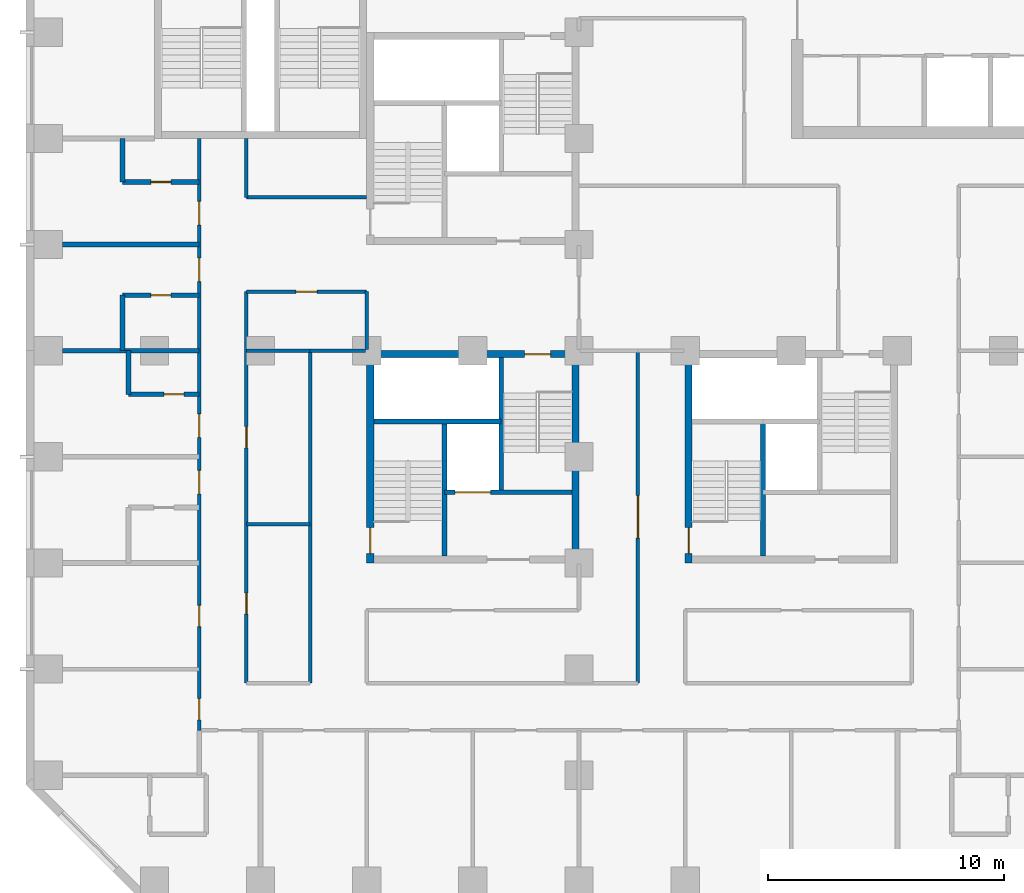
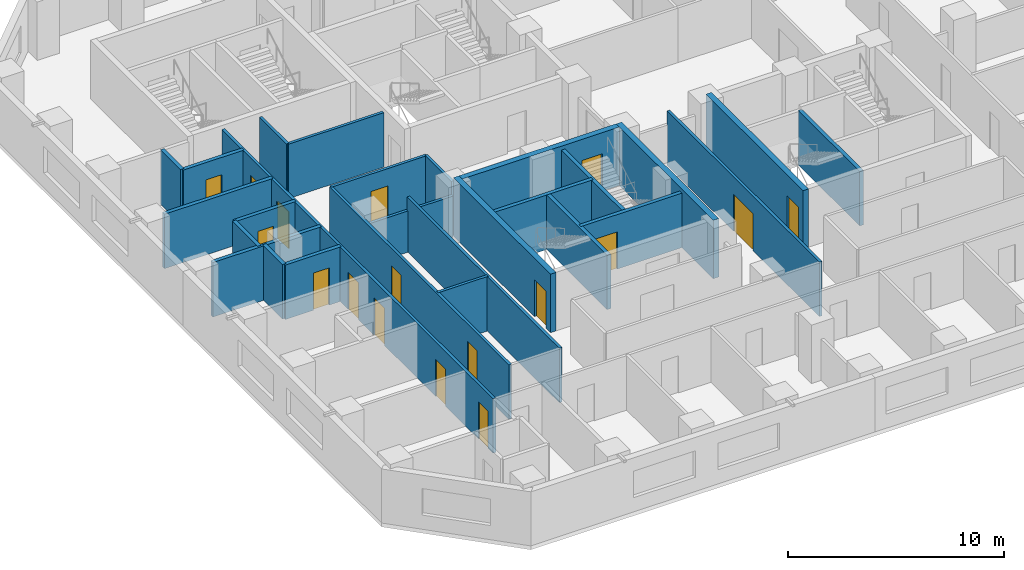
# One storey, part 3 of 13: 28 walls, 17 doors, 17 openings.
"""IFC4 building model written with IfcOpenShell, lengths in metres."""

from ifc_helpers import new_model, si_unit, direction, frame, frame_2d, origin, place, context, subcontext, project, spatial, rectangle, extrude, material, layer, layer_set, type_object, element, fill, save


model = new_model("IFC4")

# Units and contexts
model_context = context("Model", 3, precision=1e-05, world=origin(), true_north=direction((0.0, 1.0)))
body_context = subcontext(model_context, "Body", "Model", "MODEL_VIEW")
ifc_project = project(units=[si_unit("LENGTHUNIT", "METRE"), si_unit("AREAUNIT", "SQUARE_METRE"), si_unit("VOLUMEUNIT", "CUBIC_METRE"), si_unit("PLANEANGLEUNIT", "RADIAN"), si_unit("MASSUNIT", "GRAM", prefix="KILO")], contexts=[model_context])

# Site, building, storey
site_placement = place(None, origin())
site = spatial("IfcSite", under=ifc_project, at=site_placement, CompositionType="ELEMENT")
building_placement = place(site_placement, origin())
building = spatial("IfcBuilding", under=site, at=building_placement, Name="Quoin Convention Tower", CompositionType="ELEMENT")
storey_placement = place(building_placement, frame((0.0, 0.0, 23.10009765625)))
storey = spatial("IfcBuildingStorey", under=building, at=storey_placement, Name="L04", CompositionType="ELEMENT", Elevation=23.10009765625)

# Wall
ifc_material_1 = material(Name="Concrete C50", Category="concrete")
ifc_layer_1 = layer(ifc_material_1, 0.199951171875)
ifc_layer_set_1 = layer_set([ifc_layer_1], Name="Concrete C50")
wall_type_1 = type_object("IfcWallType", Name="Core shaft wall", PredefinedType="SOLIDWALL", material=ifc_layer_set_1)
wall_1_placement = place(storey_placement, frame((43.800048828125, 31.800048828125, 0.0), z_axis=(0.0, 0.0, 1.0), x_axis=(0.0, 1.0, 0.0)))
element("IfcWall", 1, at=wall_1_placement, inside=storey, type_object=wall_type_1, Name="cr-P3-L04-v3300_300", PredefinedType="SOLIDWALL", context=body_context, shape_type="SweptSolid", body=[
    extrude(rectangle(XDim=5.699951171875, YDim=0.199951171875, at=frame_2d((2.85009765625, 0.0))), origin(), (0.0, 0.0, 1.0), 3.079833984375),
])

# Wall, opening, door
wall_2_placement = place(storey_placement, frame((30.300048828125, 34.5, 0.0), z_axis=(0.0, 0.0, 1.0), x_axis=(1.0, 0.0, 0.0)))
wall_2 = element("IfcWall", 2, at=wall_2_placement, inside=storey, type_object=wall_type_1, Name="cr-P4-L04-h3000_3300", PredefinedType="SOLIDWALL", context=body_context, shape_type="SweptSolid", body=[
    extrude(rectangle(XDim=5.39990234375, YDim=0.199951171875, at=frame_2d((2.699951171875, 0.0))), origin(), (0.0, 0.0, 1.0), 3.079833984375),
])
opening_1_placement = place(wall_2_placement, frame((0.449951171875, 0.0, 0.0)))
opening_1 = element("IfcOpeningElement", 3, at=opening_1_placement, cuts=wall_2, Name="Opening LDGL1", PredefinedType="OPENING", context=body_context, shape_type="SweptSolid", body=[
    extrude(rectangle(XDim=1.5, YDim=2.10009765625, at=frame_2d((0.75, 1.050048828125))), frame((0.0, 0.10986328125, 0.0), z_axis=(0.0, -1.0, 0.0), x_axis=(1.0, 0.0, 0.0)), (0.0, 0.0, 1.0), 0.219970703125),
])
ifc_material_2 = material(Name="Steel door leaf", Category="steel")
door_type_1 = type_object("IfcDoorType", Name="Lift landing door 1500 x 2100", OperationType="DOUBLE_DOOR_SLIDING", PredefinedType="DOOR", material=ifc_material_2)
door_1_placement = place(opening_1_placement, origin())
door_1 = element("IfcDoor", 4, at=door_1_placement, inside=storey, type_object=door_type_1, Name="cd-P4-L04-CEN-R2-LDGL1", OperationType="DOUBLE_DOOR_SLIDING", OverallHeight=2.10009765625, OverallWidth=1.5, PredefinedType="DOOR", context=body_context, shape_type="SweptSolid", body=[
    extrude(rectangle(XDim=1.5, YDim=2.10009765625, at=frame_2d((0.75, 1.050048828125))), frame((0.0, 0.02490234375, 0.0), z_axis=(0.0, -1.0, 0.0), x_axis=(1.0, 0.0, 0.0)), (0.0, 0.0, 1.0), 0.050048828125),
])
fill(opening_1, door_1)

# Walls
wall_3_placement = place(storey_placement, frame((27.300048828125, 37.5, 0.0), z_axis=(0.0, 0.0, 1.0), x_axis=(1.0, 0.0, 0.0)))
element("IfcWall", 5, at=wall_3_placement, inside=storey, type_object=wall_type_1, Name="cr-P4-L04-h6000_300", PredefinedType="SOLIDWALL", context=body_context, shape_type="SweptSolid", body=[
    extrude(rectangle(XDim=5.39990234375, YDim=0.199951171875, at=frame_2d((2.699951171875, 0.0))), origin(), (0.0, 0.0, 1.0), 3.079833984375),
])
for number, where, z_axis, x_axis, name in (
    (6, (30.300048828125, 31.800048828125, 0.0), (0.0, 0.0, 1.0), (0.0, 1.0, 0.0), "cr-P4-L04-v3300_300"),
    (7, (32.699951171875, 34.5, 0.0), (0.0, 0.0, 1.0), (0.0, 1.0, 0.0), "cr-P4-L04-v5700_3000"),
):
    element("IfcWall", number, at=place(storey_placement, frame(where, z_axis=z_axis, x_axis=x_axis)), inside=storey, type_object=wall_type_1, Name=name, PredefinedType="SOLIDWALL", context=body_context, shape_type="SweptSolid", body=[
        extrude(rectangle(XDim=5.699951171875, YDim=0.199951171875, at=frame_2d((2.85009765625, 0.0))), origin(), (0.0, 0.0, 1.0), 3.079833984375),
    ])

# Wall, opening, door
ifc_material_3 = material(Name="Concrete C80", Category="concrete")
ifc_layer_2 = layer(ifc_material_3, 0.300048828125)
ifc_layer_set_2 = layer_set([ifc_layer_2], Name="Concrete C80")
wall_type_2 = type_object("IfcWallType", Name="RC CORE WALL 300 C80", PredefinedType="SHEAR", material=ifc_layer_set_2)
wall_4_placement = place(storey_placement, frame((40.64990234375, 31.5, 0.0), z_axis=(0.0, 0.0, 1.0), x_axis=(0.0, 1.0, 0.0)))
wall_4 = element("IfcWall", 8, at=wall_4_placement, inside=storey, type_object=wall_type_2, Name="cwl-P3-L04-W", PredefinedType="SHEAR", context=body_context, shape_type="SweptSolid", body=[
    extrude(rectangle(XDim=9.0, YDim=0.300048828125, at=frame_2d((4.5, 0.0))), origin(), (0.0, 0.0, 1.0), 3.2998046875),
])
opening_2_placement = place(wall_4_placement, frame((0.39990234375, 0.0, 0.0)))
opening_2 = element("IfcOpeningElement", 9, at=opening_2_placement, cuts=wall_4, Name="Opening SD5", PredefinedType="OPENING", context=body_context, shape_type="SweptSolid", body=[
    extrude(rectangle(XDim=1.10009765625, YDim=2.10009765625, at=frame_2d((0.550048828125, 1.050048828125))), frame((0.0, 0.159912109375, 0.0), z_axis=(0.0, -1.0, 0.0), x_axis=(1.0, 0.0, 0.0)), (0.0, 0.0, 1.0), 0.320068359375),
])
door_type_2 = type_object("IfcDoorType", Name="Stair door 1100 x 2100", OperationType="SINGLE_SWING_RIGHT", PredefinedType="DOOR", material=ifc_material_2)
door_2_placement = place(opening_2_placement, frame((1.10009765625, 0.0, 0.0), z_axis=(0.0, 0.0, 1.0), x_axis=(-1.0, 0.0, 0.0)))
door_2 = element("IfcDoor", 10, at=door_2_placement, inside=storey, type_object=door_type_2, Name="cd-P3-L04-SA-W", OperationType="SINGLE_SWING_RIGHT", OverallHeight=2.10009765625, OverallWidth=1.10009765625, PredefinedType="DOOR", context=body_context, shape_type="SweptSolid", body=[
    extrude(rectangle(XDim=1.10009765625, YDim=2.10009765625, at=frame_2d((0.550048828125, 1.050048828125))), frame((0.0, 0.02490234375, 0.0), z_axis=(0.0, -1.0, 0.0), x_axis=(1.0, 0.0, 0.0)), (0.0, 0.0, 1.0), 0.050048828125),
])
fill(opening_2, door_2)

wall_5_placement = place(storey_placement, frame((27.300048828125, 40.35009765625, 0.0), z_axis=(0.0, 0.0, 1.0), x_axis=(1.0, 0.0, 0.0)))
wall_5 = element("IfcWall", 11, at=wall_5_placement, inside=storey, type_object=wall_type_2, Name="cwl-P4-L04-N", PredefinedType="SHEAR", context=body_context, shape_type="SweptSolid", body=[
    extrude(rectangle(XDim=8.39990234375, YDim=0.300048828125, at=frame_2d((4.199951171875, 0.0))), origin(), (0.0, 0.0, 1.0), 3.2998046875),
])
opening_3_placement = place(wall_5_placement, frame((6.39990234375, 0.0, 0.0)))
opening_3 = element("IfcOpeningElement", 12, at=opening_3_placement, cuts=wall_5, Name="Opening SD8", PredefinedType="OPENING", context=body_context, shape_type="SweptSolid", body=[
    extrude(rectangle(XDim=1.10009765625, YDim=2.10009765625, at=frame_2d((0.550048828125, 1.050048828125))), frame((0.0, 0.159912109375, 0.0), z_axis=(0.0, -1.0, 0.0), x_axis=(1.0, 0.0, 0.0)), (0.0, 0.0, 1.0), 0.320068359375),
])
door_3_placement = place(opening_3_placement, frame((1.10009765625, 0.0, 0.0), z_axis=(0.0, 0.0, 1.0), x_axis=(-1.0, 0.0, 0.0)))
door_3 = element("IfcDoor", 13, at=door_3_placement, inside=storey, type_object=door_type_2, Name="cd-P4-L04-SB-N", OperationType="SINGLE_SWING_LEFT", OverallHeight=2.10009765625, OverallWidth=1.10009765625, PredefinedType="DOOR", context=body_context, shape_type="SweptSolid", body=[
    extrude(rectangle(XDim=1.10009765625, YDim=2.10009765625, at=frame_2d((0.550048828125, 1.050048828125))), frame((0.0, 0.02490234375, 0.0), z_axis=(0.0, -1.0, 0.0), x_axis=(1.0, 0.0, 0.0)), (0.0, 0.0, 1.0), 0.050048828125),
])
fill(opening_3, door_3)

wall_6_placement = place(storey_placement, frame((27.14990234375, 31.5, 0.0), z_axis=(0.0, 0.0, 1.0), x_axis=(0.0, 1.0, 0.0)))
wall_6 = element("IfcWall", 14, at=wall_6_placement, inside=storey, type_object=wall_type_2, Name="cwl-P4-L04-W", PredefinedType="SHEAR", context=body_context, shape_type="SweptSolid", body=[
    extrude(rectangle(XDim=9.0, YDim=0.300048828125, at=frame_2d((4.5, 0.0))), origin(), (0.0, 0.0, 1.0), 3.2998046875),
])
opening_4_placement = place(wall_6_placement, frame((0.39990234375, 0.0, 0.0)))
opening_4 = element("IfcOpeningElement", 15, at=opening_4_placement, cuts=wall_6, Name="Opening SD7", PredefinedType="OPENING", context=body_context, shape_type="SweptSolid", body=[
    extrude(rectangle(XDim=1.10009765625, YDim=2.10009765625, at=frame_2d((0.550048828125, 1.050048828125))), frame((0.0, 0.159912109375, 0.0), z_axis=(0.0, -1.0, 0.0), x_axis=(1.0, 0.0, 0.0)), (0.0, 0.0, 1.0), 0.320068359375),
])
door_4_placement = place(opening_4_placement, frame((1.10009765625, 0.0, 0.0), z_axis=(0.0, 0.0, 1.0), x_axis=(-1.0, 0.0, 0.0)))
door_4 = element("IfcDoor", 16, at=door_4_placement, inside=storey, type_object=door_type_2, Name="cd-P4-L04-SA-W", OperationType="SINGLE_SWING_RIGHT", OverallHeight=2.10009765625, OverallWidth=1.10009765625, PredefinedType="DOOR", context=body_context, shape_type="SweptSolid", body=[
    extrude(rectangle(XDim=1.10009765625, YDim=2.10009765625, at=frame_2d((0.550048828125, 1.050048828125))), frame((0.0, 0.02490234375, 0.0), z_axis=(0.0, -1.0, 0.0), x_axis=(1.0, 0.0, 0.0)), (0.0, 0.0, 1.0), 0.050048828125),
])
fill(opening_4, door_4)

# Wall
wall_7_placement = place(storey_placement, frame((35.85009765625, 31.5, 0.0), z_axis=(0.0, 0.0, 1.0), x_axis=(0.0, 1.0, 0.0)))
element("IfcWall", 17, at=wall_7_placement, inside=storey, type_object=wall_type_2, Name="cwl-P4-L04-E", PredefinedType="SHEAR", context=body_context, shape_type="SweptSolid", body=[
    extrude(rectangle(XDim=9.0, YDim=0.300048828125, at=frame_2d((4.5, 0.0))), origin(), (0.0, 0.0, 1.0), 3.2998046875),
])

# Wall, opening, door
ifc_layer_3 = layer(ifc_material_1, 0.199951171875)
ifc_layer_set_3 = layer_set([ifc_layer_3], Name="Concrete C50")
wall_type_3 = type_object("IfcWallType", Name="RC party wall", PredefinedType="SOLIDWALL", material=ifc_layer_set_3)
wall_8_placement = place(storey_placement, frame((16.89990234375, 38.64990234375, 0.0), z_axis=(0.0, 0.0, 1.0), x_axis=(1.0, 0.0, 0.0)))
wall_8 = element("IfcWall", 18, at=wall_8_placement, inside=storey, type_object=wall_type_3, Name="pw-L04-054", PredefinedType="SOLIDWALL", context=body_context, shape_type="SweptSolid", body=[
    extrude(rectangle(XDim=3.0, YDim=0.199951171875, at=frame_2d((1.5, 0.0))), origin(), (0.0, 0.0, 1.0), 3.079833984375),
])
opening_5_placement = place(wall_8_placement, frame((1.5, 0.0, 0.0)))
opening_5 = element("IfcOpeningElement", 19, at=opening_5_placement, cuts=wall_8, Name="Opening DHOTEL-M-52", PredefinedType="OPENING", context=body_context, shape_type="SweptSolid", body=[
    extrude(rectangle(XDim=0.85009765625, YDim=2.10009765625, at=frame_2d((0.425048828125, 1.050048828125))), frame((0.0, 0.10986328125, 0.0), z_axis=(0.0, -1.0, 0.0), x_axis=(1.0, 0.0, 0.0)), (0.0, 0.0, 1.0), 0.219970703125),
])
door_type_3 = type_object("IfcDoorType", Name="Bathroom door", OperationType="SINGLE_SWING_LEFT", PredefinedType="DOOR", material=ifc_material_2)
door_5_placement = place(opening_5_placement, frame((0.85009765625, 0.0, 0.0), z_axis=(0.0, 0.0, 1.0), x_axis=(-1.0, 0.0, 0.0)))
door_5 = element("IfcDoor", 20, at=door_5_placement, inside=storey, type_object=door_type_3, Name="dr-L04-012", OperationType="SINGLE_SWING_LEFT", OverallHeight=2.10009765625, OverallWidth=0.85009765625, PredefinedType="DOOR", context=body_context, shape_type="SweptSolid", body=[
    extrude(rectangle(XDim=0.85009765625, YDim=2.10009765625, at=frame_2d((0.425048828125, 1.050048828125))), frame((0.0, 0.02490234375, 0.0), z_axis=(0.0, -1.0, 0.0), x_axis=(1.0, 0.0, 0.0)), (0.0, 0.0, 1.0), 0.050048828125),
])
fill(opening_5, door_5)

# Walls
wall_9_placement = place(storey_placement, frame((16.89990234375, 38.64990234375, 0.0), z_axis=(0.0, 0.0, 1.0), x_axis=(0.0, 1.0, 0.0)))
element("IfcWall", 21, at=wall_9_placement, inside=storey, type_object=wall_type_3, Name="pw-L04-055", PredefinedType="SOLIDWALL", context=body_context, shape_type="SweptSolid", body=[
    extrude(rectangle(XDim=1.85009765625, YDim=0.199951171875, at=frame_2d((0.925048828125, 0.0))), origin(), (0.0, 0.0, 1.0), 3.079833984375),
])
wall_10_placement = place(storey_placement, frame((14.10009765625, 40.5, 0.0), z_axis=(0.0, 0.0, 1.0), x_axis=(1.0, 0.0, 0.0)))
element("IfcWall", 22, at=wall_10_placement, inside=storey, type_object=wall_type_3, Name="pw-L04-056", PredefinedType="SOLIDWALL", context=body_context, shape_type="SweptSolid", body=[
    extrude(rectangle(XDim=5.7998046875, YDim=0.199951171875, at=frame_2d((2.89990234375, 0.0))), origin(), (0.0, 0.0, 1.0), 3.079833984375),
])
wall_11_placement = place(storey_placement, frame((16.64990234375, 40.5, 0.0), z_axis=(0.0, 0.0, 1.0), x_axis=(0.0, 1.0, 0.0)))
element("IfcWall", 23, at=wall_11_placement, inside=storey, type_object=wall_type_3, Name="pw-L04-057", PredefinedType="SOLIDWALL", context=body_context, shape_type="SweptSolid", body=[
    extrude(rectangle(XDim=2.35009765625, YDim=0.199951171875, at=frame_2d((1.175048828125, 0.0))), origin(), (0.0, 0.0, 1.0), 3.079833984375),
])

# Wall, opening, door
wall_12_placement = place(storey_placement, frame((16.64990234375, 42.85009765625, 0.0), z_axis=(0.0, 0.0, 1.0), x_axis=(1.0, 0.0, 0.0)))
wall_12 = element("IfcWall", 24, at=wall_12_placement, inside=storey, type_object=wall_type_3, Name="pw-L04-062", PredefinedType="SOLIDWALL", context=body_context, shape_type="SweptSolid", body=[
    extrude(rectangle(XDim=3.25, YDim=0.199951171875, at=frame_2d((1.625, 0.0))), origin(), (0.0, 0.0, 1.0), 3.079833984375),
])
opening_6_placement = place(wall_12_placement, frame((1.199951171875, 0.0, 0.0)))
opening_6 = element("IfcOpeningElement", 25, at=opening_6_placement, cuts=wall_12, Name="Opening DHOTEL-M-54", PredefinedType="OPENING", context=body_context, shape_type="SweptSolid", body=[
    extrude(rectangle(XDim=0.85009765625, YDim=2.10009765625, at=frame_2d((0.425048828125, 1.050048828125))), frame((0.0, 0.10986328125, 0.0), z_axis=(0.0, -1.0, 0.0), x_axis=(1.0, 0.0, 0.0)), (0.0, 0.0, 1.0), 0.219970703125),
])
door_6_placement = place(opening_6_placement, origin())
door_6 = element("IfcDoor", 26, at=door_6_placement, inside=storey, type_object=door_type_3, Name="dr-L04-014", OperationType="SINGLE_SWING_RIGHT", OverallHeight=2.10009765625, OverallWidth=0.85009765625, PredefinedType="DOOR", context=body_context, shape_type="SweptSolid", body=[
    extrude(rectangle(XDim=0.85009765625, YDim=2.10009765625, at=frame_2d((0.425048828125, 1.050048828125))), frame((0.0, 0.02490234375, 0.0), z_axis=(0.0, -1.0, 0.0), x_axis=(1.0, 0.0, 0.0)), (0.0, 0.0, 1.0), 0.050048828125),
])
fill(opening_6, door_6)

# Wall
wall_13_placement = place(storey_placement, frame((14.10009765625, 45.0, 0.0), z_axis=(0.0, 0.0, 1.0), x_axis=(1.0, 0.0, 0.0)))
element("IfcWall", 27, at=wall_13_placement, inside=storey, type_object=wall_type_3, Name="pw-L04-065", PredefinedType="SOLIDWALL", context=body_context, shape_type="SweptSolid", body=[
    extrude(rectangle(XDim=5.7998046875, YDim=0.199951171875, at=frame_2d((2.89990234375, 0.0))), origin(), (0.0, 0.0, 1.0), 3.079833984375),
])

# Wall, opening, door
wall_14_placement = place(storey_placement, frame((16.64990234375, 47.64990234375, 0.0), z_axis=(0.0, 0.0, 1.0), x_axis=(1.0, 0.0, 0.0)))
wall_14 = element("IfcWall", 28, at=wall_14_placement, inside=storey, type_object=wall_type_3, Name="pw-L04-070", PredefinedType="SOLIDWALL", context=body_context, shape_type="SweptSolid", body=[
    extrude(rectangle(XDim=3.25, YDim=0.199951171875, at=frame_2d((1.625, 0.0))), origin(), (0.0, 0.0, 1.0), 3.079833984375),
])
opening_7_placement = place(wall_14_placement, frame((1.199951171875, 0.0, 0.0)))
opening_7 = element("IfcOpeningElement", 29, at=opening_7_placement, cuts=wall_14, Name="Opening DHOTEL-M-57", PredefinedType="OPENING", context=body_context, shape_type="SweptSolid", body=[
    extrude(rectangle(XDim=0.85009765625, YDim=2.10009765625, at=frame_2d((0.425048828125, 1.050048828125))), frame((0.0, 0.10986328125, 0.0), z_axis=(0.0, -1.0, 0.0), x_axis=(1.0, 0.0, 0.0)), (0.0, 0.0, 1.0), 0.219970703125),
])
door_7_placement = place(opening_7_placement, frame((0.85009765625, 0.0, 0.0), z_axis=(0.0, 0.0, 1.0), x_axis=(-1.0, 0.0, 0.0)))
door_7 = element("IfcDoor", 30, at=door_7_placement, inside=storey, type_object=door_type_3, Name="dr-L04-016", OperationType="SINGLE_SWING_LEFT", OverallHeight=2.10009765625, OverallWidth=0.85009765625, PredefinedType="DOOR", context=body_context, shape_type="SweptSolid", body=[
    extrude(rectangle(XDim=0.85009765625, YDim=2.10009765625, at=frame_2d((0.425048828125, 1.050048828125))), frame((0.0, 0.02490234375, 0.0), z_axis=(0.0, -1.0, 0.0), x_axis=(1.0, 0.0, 0.0)), (0.0, 0.0, 1.0), 0.050048828125),
])
fill(opening_7, door_7)

# Wall
wall_15_placement = place(storey_placement, frame((16.64990234375, 47.64990234375, 0.0), z_axis=(0.0, 0.0, 1.0), x_axis=(0.0, 1.0, 0.0)))
element("IfcWall", 31, at=wall_15_placement, inside=storey, type_object=wall_type_3, Name="pw-L04-071", PredefinedType="SOLIDWALL", context=body_context, shape_type="SweptSolid", body=[
    extrude(rectangle(XDim=1.85009765625, YDim=0.199951171875, at=frame_2d((0.925048828125, 0.0))), origin(), (0.0, 0.0, 1.0), 3.079833984375),
])

# Wall, openings, doors
ifc_material_4 = material(Name="Plasterboard")
ifc_layer_4 = layer(ifc_material_4, 0.012451171875, Name="Finish")
ifc_material_5 = material(Name="Steel stud framing", Category="steel")
ifc_layer_5 = layer(ifc_material_5, 0.125, Name="Structure")
ifc_layer_6 = layer(ifc_material_4, 0.012451171875, Name="Finish")
ifc_layer_set_4 = layer_set([ifc_layer_4, ifc_layer_5, ifc_layer_6], Name="Steel stud framing")
wall_type_4 = type_object("IfcWallType", Name="corridor partition", PredefinedType="PARTITIONING", material=ifc_layer_set_4)
wall_16_placement = place(storey_placement, frame((19.89990234375, 24.39990234375, 0.0), z_axis=(0.0, 0.0, 1.0), x_axis=(0.0, 1.0, 0.0)))
wall_16 = element("IfcWall", 32, at=wall_16_placement, inside=storey, type_object=wall_type_4, Name="pw-L04-005", PredefinedType="PARTITIONING", context=body_context, shape_type="SweptSolid", body=[
    extrude(rectangle(XDim=25.10009765625, YDim=0.14990234375, at=frame_2d((12.550048828125, 0.0))), origin(), (0.0, 0.0, 1.0), 3.079833984375),
])
opening_8_placement = place(wall_16_placement, frame((0.447021484375, 0.0, 0.0)))
opening_8 = element("IfcOpeningElement", 33, at=opening_8_placement, cuts=wall_16, Name="Opening DHOTEL-M-09", PredefinedType="OPENING", context=body_context, shape_type="SweptSolid", body=[
    extrude(rectangle(XDim=0.89990234375, YDim=2.10009765625, at=frame_2d((0.449951171875, 1.050048828125))), frame((0.0, 0.0849609375, 0.0), z_axis=(0.0, -1.0, 0.0), x_axis=(1.0, 0.0, 0.0)), (0.0, 0.0, 1.0), 0.169921875),
])
opening_9_placement = place(wall_16_placement, frame((4.39990234375, 0.0, 0.0)))
opening_9 = element("IfcOpeningElement", 34, at=opening_9_placement, cuts=wall_16, Name="Opening DHOTEL-M-10", PredefinedType="OPENING", context=body_context, shape_type="SweptSolid", body=[
    extrude(rectangle(XDim=0.89990234375, YDim=2.10009765625, at=frame_2d((0.449951171875, 1.050048828125))), frame((0.0, 0.0849609375, 0.0), z_axis=(0.0, -1.0, 0.0), x_axis=(1.0, 0.0, 0.0)), (0.0, 0.0, 1.0), 0.169921875),
])
opening_10_placement = place(wall_16_placement, frame((10.02490234375, 0.0, 0.0)))
opening_10 = element("IfcOpeningElement", 35, at=opening_10_placement, cuts=wall_16, Name="Opening DHOTEL-M-11", PredefinedType="OPENING", context=body_context, shape_type="SweptSolid", body=[
    extrude(rectangle(XDim=1.0, YDim=2.10009765625, at=frame_2d((0.5, 1.050048828125))), frame((0.0, 0.0849609375, 0.0), z_axis=(0.0, -1.0, 0.0), x_axis=(1.0, 0.0, 0.0)), (0.0, 0.0, 1.0), 0.169921875),
])
opening_11_placement = place(wall_16_placement, frame((12.425048828125, 0.0, 0.0)))
opening_11 = element("IfcOpeningElement", 36, at=opening_11_placement, cuts=wall_16, Name="Opening DHOTEL-M-12", PredefinedType="OPENING", context=body_context, shape_type="SweptSolid", body=[
    extrude(rectangle(XDim=1.0, YDim=2.10009765625, at=frame_2d((0.5, 1.050048828125))), frame((0.0, 0.0849609375, 0.0), z_axis=(0.0, -1.0, 0.0), x_axis=(1.0, 0.0, 0.0)), (0.0, 0.0, 1.0), 0.169921875),
])
opening_12_placement = place(wall_16_placement, frame((19.02490234375, 0.0, 0.0)))
opening_12 = element("IfcOpeningElement", 37, at=opening_12_placement, cuts=wall_16, Name="Opening DHOTEL-M-13", PredefinedType="OPENING", context=body_context, shape_type="SweptSolid", body=[
    extrude(rectangle(XDim=1.0, YDim=2.10009765625, at=frame_2d((0.5, 1.050048828125))), frame((0.0, 0.0849609375, 0.0), z_axis=(0.0, -1.0, 0.0), x_axis=(1.0, 0.0, 0.0)), (0.0, 0.0, 1.0), 0.169921875),
])
opening_13_placement = place(wall_16_placement, frame((21.425048828125, 0.0, 0.0)))
opening_13 = element("IfcOpeningElement", 38, at=opening_13_placement, cuts=wall_16, Name="Opening DHOTEL-M-14", PredefinedType="OPENING", context=body_context, shape_type="SweptSolid", body=[
    extrude(rectangle(XDim=1.0, YDim=2.10009765625, at=frame_2d((0.5, 1.050048828125))), frame((0.0, 0.0849609375, 0.0), z_axis=(0.0, -1.0, 0.0), x_axis=(1.0, 0.0, 0.0)), (0.0, 0.0, 1.0), 0.169921875),
])
door_type_4 = type_object("IfcDoorType", Name="Hotel room door", OperationType="SINGLE_SWING_LEFT", PredefinedType="DOOR", material=ifc_material_2)
door_8_placement = place(opening_10_placement, origin())
door_8 = element("IfcDoor", 39, at=door_8_placement, inside=storey, type_object=door_type_4, Name="dr-L04-009", OperationType="SINGLE_SWING_RIGHT", OverallHeight=2.10009765625, OverallWidth=1.0, PredefinedType="DOOR", context=body_context, shape_type="SweptSolid", body=[
    extrude(rectangle(XDim=1.0, YDim=2.10009765625, at=frame_2d((0.5, 1.050048828125))), frame((0.0, 0.02490234375, 0.0), z_axis=(0.0, -1.0, 0.0), x_axis=(1.0, 0.0, 0.0)), (0.0, 0.0, 1.0), 0.050048828125),
])
fill(opening_10, door_8)
door_9_placement = place(opening_11_placement, origin())
door_9 = element("IfcDoor", 40, at=door_9_placement, inside=storey, type_object=door_type_4, Name="dr-L04-011", OperationType="SINGLE_SWING_RIGHT", OverallHeight=2.10009765625, OverallWidth=1.0, PredefinedType="DOOR", context=body_context, shape_type="SweptSolid", body=[
    extrude(rectangle(XDim=1.0, YDim=2.10009765625, at=frame_2d((0.5, 1.050048828125))), frame((0.0, 0.02490234375, 0.0), z_axis=(0.0, -1.0, 0.0), x_axis=(1.0, 0.0, 0.0)), (0.0, 0.0, 1.0), 0.050048828125),
])
fill(opening_11, door_9)
door_10_placement = place(opening_12_placement, origin())
door_10 = element("IfcDoor", 41, at=door_10_placement, inside=storey, type_object=door_type_4, Name="dr-L04-013", OperationType="SINGLE_SWING_RIGHT", OverallHeight=2.10009765625, OverallWidth=1.0, PredefinedType="DOOR", context=body_context, shape_type="SweptSolid", body=[
    extrude(rectangle(XDim=1.0, YDim=2.10009765625, at=frame_2d((0.5, 1.050048828125))), frame((0.0, 0.02490234375, 0.0), z_axis=(0.0, -1.0, 0.0), x_axis=(1.0, 0.0, 0.0)), (0.0, 0.0, 1.0), 0.050048828125),
])
fill(opening_12, door_10)
door_11_placement = place(opening_13_placement, origin())
door_11 = element("IfcDoor", 42, at=door_11_placement, inside=storey, type_object=door_type_4, Name="dr-L04-015", OperationType="SINGLE_SWING_RIGHT", OverallHeight=2.10009765625, OverallWidth=1.0, PredefinedType="DOOR", context=body_context, shape_type="SweptSolid", body=[
    extrude(rectangle(XDim=1.0, YDim=2.10009765625, at=frame_2d((0.5, 1.050048828125))), frame((0.0, 0.02490234375, 0.0), z_axis=(0.0, -1.0, 0.0), x_axis=(1.0, 0.0, 0.0)), (0.0, 0.0, 1.0), 0.050048828125),
])
fill(opening_13, door_11)
door_type_5 = type_object("IfcDoorType", Name="Service room door", OperationType="SINGLE_SWING_LEFT", PredefinedType="DOOR", material=ifc_material_2)
door_12_placement = place(opening_8_placement, origin())
door_12 = element("IfcDoor", 43, at=door_12_placement, inside=storey, type_object=door_type_5, Name="dr-L04-007", OperationType="SINGLE_SWING_LEFT", OverallHeight=2.10009765625, OverallWidth=0.89990234375, PredefinedType="DOOR", context=body_context, shape_type="SweptSolid", body=[
    extrude(rectangle(XDim=0.89990234375, YDim=2.10009765625, at=frame_2d((0.449951171875, 1.050048828125))), frame((0.0, 0.02490234375, 0.0), z_axis=(0.0, -1.0, 0.0), x_axis=(1.0, 0.0, 0.0)), (0.0, 0.0, 1.0), 0.050048828125),
])
fill(opening_8, door_12)
door_13_placement = place(opening_9_placement, origin())
door_13 = element("IfcDoor", 44, at=door_13_placement, inside=storey, type_object=door_type_5, Name="dr-L04-008", OperationType="SINGLE_SWING_RIGHT", OverallHeight=2.10009765625, OverallWidth=0.89990234375, PredefinedType="DOOR", context=body_context, shape_type="SweptSolid", body=[
    extrude(rectangle(XDim=0.89990234375, YDim=2.10009765625, at=frame_2d((0.449951171875, 1.050048828125))), frame((0.0, 0.02490234375, 0.0), z_axis=(0.0, -1.0, 0.0), x_axis=(1.0, 0.0, 0.0)), (0.0, 0.0, 1.0), 0.050048828125),
])
fill(opening_9, door_13)

wall_17_placement = place(storey_placement, frame((21.89990234375, 26.39990234375, 0.0), z_axis=(0.0, 0.0, 1.0), x_axis=(0.0, 1.0, 0.0)))
wall_17 = element("IfcWall", 45, at=wall_17_placement, inside=storey, type_object=wall_type_4, Name="pw-L04-008", PredefinedType="PARTITIONING", context=body_context, shape_type="SweptSolid", body=[
    extrude(rectangle(XDim=16.60009765625, YDim=0.14990234375, at=frame_2d((8.300048828125, 0.0))), origin(), (0.0, 0.0, 1.0), 3.079833984375),
])
opening_14_placement = place(wall_17_placement, frame((2.925048828125, 0.0, 0.0)))
opening_14 = element("IfcOpeningElement", 46, at=opening_14_placement, cuts=wall_17, Name="Opening DHOTEL-M-20", PredefinedType="OPENING", context=body_context, shape_type="SweptSolid", body=[
    extrude(rectangle(XDim=0.89990234375, YDim=2.10009765625, at=frame_2d((0.449951171875, 1.050048828125))), frame((0.0, 0.0849609375, 0.0), z_axis=(0.0, -1.0, 0.0), x_axis=(1.0, 0.0, 0.0)), (0.0, 0.0, 1.0), 0.169921875),
])
opening_15_placement = place(wall_17_placement, frame((9.97509765625, 0.0, 0.0)))
opening_15 = element("IfcOpeningElement", 47, at=opening_15_placement, cuts=wall_17, Name="Opening DHOTEL-M-21", PredefinedType="OPENING", context=body_context, shape_type="SweptSolid", body=[
    extrude(rectangle(XDim=0.89990234375, YDim=2.10009765625, at=frame_2d((0.449951171875, 1.050048828125))), frame((0.0, 0.0849609375, 0.0), z_axis=(0.0, -1.0, 0.0), x_axis=(1.0, 0.0, 0.0)), (0.0, 0.0, 1.0), 0.169921875),
])
door_type_6 = type_object("IfcDoorType", Name="Toilet door", OperationType="SINGLE_SWING_LEFT", PredefinedType="DOOR", material=ifc_material_2)
door_14_placement = place(opening_14_placement, frame((0.89990234375, 0.0, 0.0), z_axis=(0.0, 0.0, 1.0), x_axis=(-1.0, 0.0, 0.0)))
door_14 = element("IfcDoor", 48, at=door_14_placement, inside=storey, type_object=door_type_6, Name="dr-L04-073", OperationType="SINGLE_SWING_LEFT", OverallHeight=2.10009765625, OverallWidth=0.89990234375, PredefinedType="DOOR", context=body_context, shape_type="SweptSolid", body=[
    extrude(rectangle(XDim=0.89990234375, YDim=2.10009765625, at=frame_2d((0.449951171875, 1.050048828125))), frame((0.0, 0.02490234375, 0.0), z_axis=(0.0, -1.0, 0.0), x_axis=(1.0, 0.0, 0.0)), (0.0, 0.0, 1.0), 0.050048828125),
])
fill(opening_14, door_14)
door_15_placement = place(opening_15_placement, frame((0.89990234375, 0.0, 0.0), z_axis=(0.0, 0.0, 1.0), x_axis=(-1.0, 0.0, 0.0)))
door_15 = element("IfcDoor", 49, at=door_15_placement, inside=storey, type_object=door_type_6, Name="dr-L04-074", OperationType="SINGLE_SWING_LEFT", OverallHeight=2.10009765625, OverallWidth=0.89990234375, PredefinedType="DOOR", context=body_context, shape_type="SweptSolid", body=[
    extrude(rectangle(XDim=0.89990234375, YDim=2.10009765625, at=frame_2d((0.449951171875, 1.050048828125))), frame((0.0, 0.02490234375, 0.0), z_axis=(0.0, -1.0, 0.0), x_axis=(1.0, 0.0, 0.0)), (0.0, 0.0, 1.0), 0.050048828125),
])
fill(opening_15, door_15)

# Wall
wall_18_placement = place(storey_placement, frame((24.60009765625, 26.39990234375, 0.0), z_axis=(0.0, 0.0, 1.0), x_axis=(0.0, 1.0, 0.0)))
element("IfcWall", 50, at=wall_18_placement, inside=storey, type_object=wall_type_4, Name="pw-L04-009", PredefinedType="PARTITIONING", context=body_context, shape_type="SweptSolid", body=[
    extrude(rectangle(XDim=14.10009765625, YDim=0.14990234375, at=frame_2d((7.050048828125, 0.0))), origin(), (0.0, 0.0, 1.0), 3.079833984375),
])

# Wall, opening, door
wall_19_placement = place(storey_placement, frame((38.5, 26.39990234375, 0.0), z_axis=(0.0, 0.0, 1.0), x_axis=(0.0, 1.0, 0.0)))
wall_19 = element("IfcWall", 51, at=wall_19_placement, inside=storey, type_object=wall_type_4, Name="pw-L04-012", PredefinedType="PARTITIONING", context=body_context, shape_type="SweptSolid", body=[
    extrude(rectangle(XDim=14.10009765625, YDim=0.14990234375, at=frame_2d((7.050048828125, 0.0))), origin(), (0.0, 0.0, 1.0), 3.079833984375),
])
opening_16_placement = place(wall_19_placement, frame((6.14990234375, 0.0, 0.0)))
opening_16 = element("IfcOpeningElement", 52, at=opening_16_placement, cuts=wall_19, Name="Opening DHOTEL-M-22", PredefinedType="OPENING", context=body_context, shape_type="SweptSolid", body=[
    extrude(rectangle(XDim=1.800048828125, YDim=2.10009765625, at=frame_2d((0.89990234375, 1.050048828125))), frame((0.0, 0.0849609375, 0.0), z_axis=(0.0, -1.0, 0.0), x_axis=(1.0, 0.0, 0.0)), (0.0, 0.0, 1.0), 0.169921875),
])
door_type_7 = type_object("IfcDoorType", Name="Double meeting room door", OperationType="DOUBLE_DOOR_SINGLE_SWING", PredefinedType="DOOR", material=ifc_material_2)
door_16_placement = place(opening_16_placement, origin())
door_16 = element("IfcDoor", 53, at=door_16_placement, inside=storey, type_object=door_type_7, Name="dr-L04-075", OperationType="DOUBLE_DOOR_SINGLE_SWING", OverallHeight=2.10009765625, OverallWidth=1.800048828125, PredefinedType="DOOR", context=body_context, shape_type="SweptSolid", body=[
    extrude(rectangle(XDim=1.800048828125, YDim=2.10009765625, at=frame_2d((0.89990234375, 1.050048828125))), frame((0.0, 0.02490234375, 0.0), z_axis=(0.0, -1.0, 0.0), x_axis=(1.0, 0.0, 0.0)), (0.0, 0.0, 1.0), 0.050048828125),
])
fill(opening_16, door_16)

# Wall
wall_20_placement = place(storey_placement, frame((27.0, 40.550048828125, 0.0), z_axis=(0.0, 0.0, 1.0), x_axis=(0.0, 1.0, 0.0)))
element("IfcWall", 54, at=wall_20_placement, inside=storey, type_object=wall_type_4, Name="pw-L04-021", PredefinedType="PARTITIONING", context=body_context, shape_type="SweptSolid", body=[
    extrude(rectangle(XDim=2.449951171875, YDim=0.14990234375, at=frame_2d((1.22509765625, 0.0))), origin(), (0.0, 0.0, 1.0), 3.079833984375),
])

# Wall, opening, door
wall_21_placement = place(storey_placement, frame((21.89990234375, 43.0, 0.0), z_axis=(0.0, 0.0, 1.0), x_axis=(1.0, 0.0, 0.0)))
wall_21 = element("IfcWall", 55, at=wall_21_placement, inside=storey, type_object=wall_type_4, Name="pw-L04-024", PredefinedType="PARTITIONING", context=body_context, shape_type="SweptSolid", body=[
    extrude(rectangle(XDim=5.10009765625, YDim=0.14990234375, at=frame_2d((2.550048828125, 0.0))), origin(), (0.0, 0.0, 1.0), 3.079833984375),
])
opening_17_placement = place(wall_21_placement, frame((2.10009765625, 0.0, 0.0)))
opening_17 = element("IfcOpeningElement", 56, at=opening_17_placement, cuts=wall_21, Name="Opening DHOTEL-M-27", PredefinedType="OPENING", context=body_context, shape_type="SweptSolid", body=[
    extrude(rectangle(XDim=0.89990234375, YDim=2.10009765625, at=frame_2d((0.449951171875, 1.050048828125))), frame((0.0, 0.0849609375, 0.0), z_axis=(0.0, -1.0, 0.0), x_axis=(1.0, 0.0, 0.0)), (0.0, 0.0, 1.0), 0.169921875),
])
door_17_placement = place(opening_17_placement, frame((0.89990234375, 0.0, 0.0), z_axis=(0.0, 0.0, 1.0), x_axis=(-1.0, 0.0, 0.0)))
door_17 = element("IfcDoor", 57, at=door_17_placement, inside=storey, type_object=door_type_5, Name="dr-L04-078", OperationType="SINGLE_SWING_LEFT", OverallHeight=2.10009765625, OverallWidth=0.89990234375, PredefinedType="DOOR", context=body_context, shape_type="SweptSolid", body=[
    extrude(rectangle(XDim=0.89990234375, YDim=2.10009765625, at=frame_2d((0.449951171875, 1.050048828125))), frame((0.0, 0.02490234375, 0.0), z_axis=(0.0, -1.0, 0.0), x_axis=(1.0, 0.0, 0.0)), (0.0, 0.0, 1.0), 0.050048828125),
])
fill(opening_17, door_17)

# Walls
wall_22_placement = place(storey_placement, frame((21.89990234375, 47.0, 0.0), z_axis=(0.0, 0.0, 1.0), x_axis=(1.0, 0.0, 0.0)))
element("IfcWall", 58, at=wall_22_placement, inside=storey, type_object=wall_type_4, Name="pw-L04-025", PredefinedType="PARTITIONING", context=body_context, shape_type="SweptSolid", body=[
    extrude(rectangle(XDim=5.10009765625, YDim=0.14990234375, at=frame_2d((2.550048828125, 0.0))), origin(), (0.0, 0.0, 1.0), 3.079833984375),
])
wall_23_placement = place(storey_placement, frame((21.89990234375, 47.0, 0.0), z_axis=(0.0, 0.0, 1.0), x_axis=(0.0, 1.0, 0.0)))
element("IfcWall", 59, at=wall_23_placement, inside=storey, type_object=wall_type_4, Name="pw-L04-026", PredefinedType="PARTITIONING", context=body_context, shape_type="SweptSolid", body=[
    extrude(rectangle(XDim=2.5, YDim=0.14990234375, at=frame_2d((1.25, 0.0))), origin(), (0.0, 0.0, 1.0), 3.079833984375),
])
ifc_layer_7 = layer(ifc_material_4, 0.012451171875, Name="Finish")
ifc_layer_8 = layer(ifc_material_5, 0.125, Name="Structure")
ifc_layer_9 = layer(ifc_material_4, 0.012451171875, Name="Finish")
ifc_layer_set_5 = layer_set([ifc_layer_7, ifc_layer_8, ifc_layer_9], Name="Steel stud framing")
wall_type_5 = type_object("IfcWallType", Name="corridor partition under beam 750", PredefinedType="PARTITIONING", material=ifc_layer_set_5)
wall_24_placement = place(storey_placement, frame((24.60009765625, 40.5, 0.0), z_axis=(0.0, 0.0, 1.0), x_axis=(1.0, 0.0, 0.0)))
element("IfcWall", 60, at=wall_24_placement, inside=storey, type_object=wall_type_5, Name="pw-L04-019", PredefinedType="PARTITIONING", context=body_context, shape_type="SweptSolid", body=[
    extrude(rectangle(XDim=2.349853515625, YDim=0.14990234375, at=frame_2d((1.1748046875, 0.0))), origin(), (0.0, 0.0, 1.0), 2.329833984375),
])
ifc_layer_10 = layer(ifc_material_4, 0.012451171875, Name="Finish")
ifc_layer_11 = layer(ifc_material_5, 0.125, Name="Structure")
ifc_layer_12 = layer(ifc_material_4, 0.012451171875, Name="Finish")
ifc_layer_set_6 = layer_set([ifc_layer_10, ifc_layer_11, ifc_layer_12], Name="Steel stud framing")
wall_type_6 = type_object("IfcWallType", Name="room partition", PredefinedType="PARTITIONING", material=ifc_layer_set_6)
wall_25_placement = place(storey_placement, frame((21.89990234375, 33.14990234375, 0.0), z_axis=(0.0, 0.0, 1.0), x_axis=(1.0, 0.0, 0.0)))
element("IfcWall", 61, at=wall_25_placement, inside=storey, type_object=wall_type_6, Name="pw-L04-152", PredefinedType="PARTITIONING", context=body_context, shape_type="SweptSolid", body=[
    extrude(rectangle(XDim=2.7001953125, YDim=0.14990234375, at=frame_2d((1.35009765625, 0.0))), origin(), (0.0, 0.0, 1.0), 3.079833984375),
])
ifc_layer_13 = layer(ifc_material_4, 0.012451171875, Name="Finish")
ifc_layer_14 = layer(ifc_material_5, 0.125, Name="Structure")
ifc_layer_15 = layer(ifc_material_4, 0.012451171875, Name="Finish")
ifc_layer_set_7 = layer_set([ifc_layer_13, ifc_layer_14, ifc_layer_15], Name="Steel stud framing")
wall_type_7 = type_object("IfcWallType", Name="room partition under beam 750", PredefinedType="PARTITIONING", material=ifc_layer_set_7)
wall_26_placement = place(storey_placement, frame((21.89990234375, 40.5, 0.0), z_axis=(0.0, 0.0, 1.0), x_axis=(1.0, 0.0, 0.0)))
element("IfcWall", 62, at=wall_26_placement, inside=storey, type_object=wall_type_7, Name="pw-L04-154", PredefinedType="PARTITIONING", context=body_context, shape_type="SweptSolid", body=[
    extrude(rectangle(XDim=2.7001953125, YDim=0.14990234375, at=frame_2d((1.35009765625, 0.0))), origin(), (0.0, 0.0, 1.0), 2.329833984375),
])

save(model, "model.ifc")
